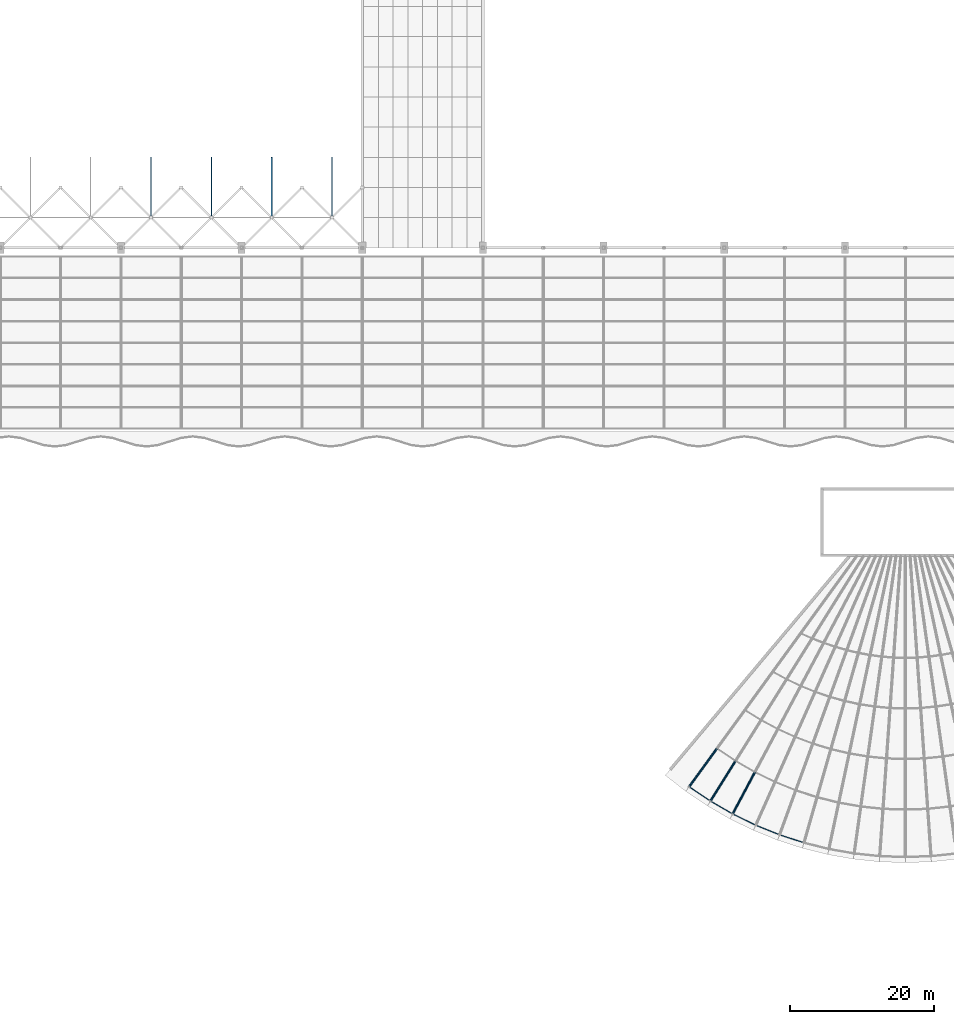
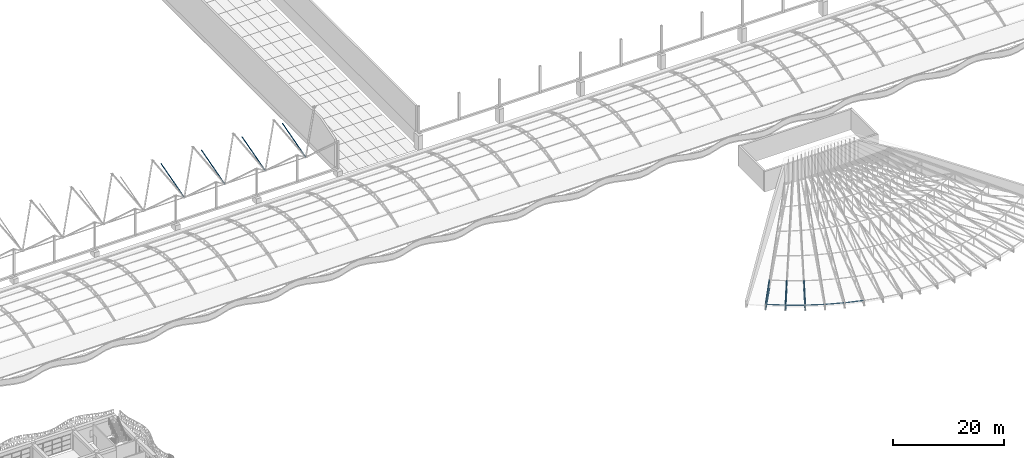
# One storey, part 23 of 163: 18 members.
"""IFC4 building model written with IfcOpenShell, lengths in metres."""

from ifc_helpers import new_model, si_unit, direction, frame, origin, origin_2d, place, context, subcontext, project, spatial, hollow_rectangle, hollow_circle, extrude, material, material_profile, profile_set, type_object, element, save


model = new_model("IFC4")

# Units and contexts
model_context = context("Model", 3, precision=1e-05, world=origin(), true_north=direction((0.0, 1.0)))
body_context = subcontext(model_context, "Body", "Model", "MODEL_VIEW")
ifc_project = project(units=[si_unit("LENGTHUNIT", "METRE"), si_unit("AREAUNIT", "SQUARE_METRE"), si_unit("VOLUMEUNIT", "CUBIC_METRE"), si_unit("PLANEANGLEUNIT", "RADIAN"), si_unit("MASSUNIT", "GRAM", prefix="KILO")], contexts=[model_context])

# Site, building, storey
site_placement = place(None, origin())
site = spatial("IfcSite", under=ifc_project, at=site_placement, CompositionType="ELEMENT")
building_placement = place(site_placement, origin())
building = spatial("IfcBuilding", under=site, at=building_placement, Name="Rain Tree Exposition and Congress Centre", CompositionType="ELEMENT")
storey_placement = place(building_placement, frame((0.0, 0.0, 10.5)))
storey = spatial("IfcBuildingStorey", under=building, at=storey_placement, Name="L02", CompositionType="ELEMENT", Elevation=10.5)

# Members
ifc_material_1 = material(Name="Steel S355J2H", Category="steel")
ifc_material_profile_1 = material_profile(ifc_material_1, hollow_circle(Radius=0.108154296875, WallThickness=0.008056640625, at=origin_2d()), Name="CHS 216x8")
ifc_profile_set_1 = profile_set([ifc_material_profile_1], Name="Steel S355J2H")
member_type_1 = type_object("IfcMemberType", Name="Steel brace member CHS 216x8", PredefinedType="BRACE", material=ifc_profile_set_1)
member_1_placement = place(storey_placement, frame((171.50537109375, 25.7783203125, 0.318603515625), z_axis=(0.573314901172, 0.789110774294, 0.220486303402), x_axis=(-0.809020716943, 0.587780128583, 0.0)))
element("IfcMember", 1, at=member_1_placement, inside=storey, type_object=member_type_1, Name="TD1-1", PredefinedType="BRACE", context=body_context, shape_type="SweptSolid", body=[
    extrude(hollow_circle(Radius=0.108154296875, WallThickness=0.008056640625, at=origin_2d()), origin(), (0.0, 0.0, 1.0), 6.7666015625),
])
member_2_placement = place(storey_placement, frame((174.468017578125, 23.77978515625, 0.318603515625), z_axis=(0.516868978035, 0.827185191917, 0.220479291133), x_axis=(-0.848054406666, 0.529909165172, 0.0)))
element("IfcMember", 2, at=member_2_placement, inside=storey, type_object=member_type_1, Name="TD2-1", PredefinedType="BRACE", context=body_context, shape_type="SweptSolid", body=[
    extrude(hollow_circle(Radius=0.108154296875, WallThickness=0.008056640625, at=origin_2d()), origin(), (0.0, 0.0, 1.0), 6.766845703125),
])
member_3_placement = place(storey_placement, frame((177.56298828125, 21.9931640625, 0.318603515625), z_axis=(0.457935298781, 0.861208449938, 0.220488702399), x_axis=(-0.882937969766, 0.469489660743, 0.0)))
element("IfcMember", 3, at=member_3_placement, inside=storey, type_object=member_type_1, Name="TD3-1", PredefinedType="BRACE", context=body_context, shape_type="SweptSolid", body=[
    extrude(hollow_circle(Radius=0.108154296875, WallThickness=0.008056640625, at=origin_2d()), origin(), (0.0, 0.0, 1.0), 6.7666015625),
])
ifc_material_2 = material(Name="Steel S355J2H", Category="steel")
ifc_material_profile_2 = material_profile(ifc_material_2, hollow_circle(Radius=0.1591796875, WallThickness=0.010009765625, at=origin_2d()), Name="CHS 318x10")
ifc_profile_set_2 = profile_set([ifc_material_profile_2], Name="Steel S355J2H")
member_type_2 = type_object("IfcMemberType", Name="Steel chord member CHS 318x10", PredefinedType="CHORD", material=ifc_profile_set_2)
member_4_placement = place(storey_placement, frame((171.50537109375, 25.7783203125, 0.1591796875), z_axis=(0.587780128583, 0.809020716943, 0.0), x_axis=(-0.809020716943, 0.587780128583, 0.0)))
element("IfcMember", 4, at=member_4_placement, inside=storey, type_object=member_type_2, Name="TC1-1", PredefinedType="CHORD", context=body_context, shape_type="SweptSolid", body=[
    extrude(hollow_circle(Radius=0.1591796875, WallThickness=0.010009765625, at=origin_2d()), origin(), (0.0, 0.0, 1.0), 6.60009765625),
])
member_5_placement = place(storey_placement, frame((171.50537109375, 25.7783203125, 1.22900390625), z_axis=(0.584096278798, 0.803950265172, 0.11178330924), x_axis=(-0.809020716943, 0.587780128583, 0.0)))
element("IfcMember", 5, at=member_5_placement, inside=storey, type_object=member_type_2, Name="TT1-1", PredefinedType="CHORD", context=body_context, shape_type="SweptSolid", body=[
    extrude(hollow_circle(Radius=0.1591796875, WallThickness=0.010009765625, at=origin_2d()), origin(), (0.0, 0.0, 1.0), 6.6416015625),
])
member_6_placement = place(storey_placement, frame((174.468017578125, 23.77978515625, 0.1591796875), z_axis=(0.529909165172, 0.848054406666, 0.0), x_axis=(-0.848054406666, 0.529909165172, 0.0)))
element("IfcMember", 6, at=member_6_placement, inside=storey, type_object=member_type_2, Name="TC2-1", PredefinedType="CHORD", context=body_context, shape_type="SweptSolid", body=[
    extrude(hollow_circle(Radius=0.1591796875, WallThickness=0.010009765625, at=origin_2d()), origin(), (0.0, 0.0, 1.0), 6.600341796875),
])
member_7_placement = place(storey_placement, frame((174.468017578125, 23.77978515625, 1.22900390625), z_axis=(0.526588235486, 0.842739667387, 0.111779619162), x_axis=(-0.848054406666, 0.529909165172, 0.0)))
element("IfcMember", 7, at=member_7_placement, inside=storey, type_object=member_type_2, Name="TT2-1", PredefinedType="CHORD", context=body_context, shape_type="SweptSolid", body=[
    extrude(hollow_circle(Radius=0.1591796875, WallThickness=0.010009765625, at=origin_2d()), origin(), (0.0, 0.0, 1.0), 6.641845703125),
])
member_8_placement = place(storey_placement, frame((177.56298828125, 21.9931640625, 0.1591796875), z_axis=(0.469489660743, 0.882937969766, 0.0), x_axis=(-0.882937969766, 0.469489660743, 0.0)))
element("IfcMember", 8, at=member_8_placement, inside=storey, type_object=member_type_2, Name="TC3-1", PredefinedType="CHORD", context=body_context, shape_type="SweptSolid", body=[
    extrude(hollow_circle(Radius=0.1591796875, WallThickness=0.010009765625, at=origin_2d()), origin(), (0.0, 0.0, 1.0), 6.60009765625),
])
member_9_placement = place(storey_placement, frame((177.56298828125, 21.9931640625, 1.22900390625), z_axis=(0.466547117281, 0.877404124046, 0.111784571671), x_axis=(-0.882937969766, 0.469489660743, 0.0)))
element("IfcMember", 9, at=member_9_placement, inside=storey, type_object=member_type_2, Name="TT3-1", PredefinedType="CHORD", context=body_context, shape_type="SweptSolid", body=[
    extrude(hollow_circle(Radius=0.1591796875, WallThickness=0.010009765625, at=origin_2d()), origin(), (0.0, 0.0, 1.0), 6.6416015625),
])
ifc_material_3 = material(Name="Steel S355J2H", Category="steel")
ifc_material_profile_3 = material_profile(ifc_material_3, hollow_rectangle(XDim=0.14990234375, YDim=0.14990234375, WallThickness=0.00439453125, at=origin_2d()), Name="RHS 150x150x4.5")
ifc_profile_set_3 = profile_set([ifc_material_profile_3], Name="Steel S355J2H")
member_type_3 = type_object("IfcMemberType", Name="Steel chord member RHS 150x150x4.5", PredefinedType="CHORD", material=ifc_profile_set_3)
for number, where, z_axis, x_axis, name in (
    (10, (96.60009765625, 105.0, 2.87353515625), (0.0, 0.9627506985, 0.27039062953), (-1.0, 0.0, 0.0), "Bottom chord 428"),
    (11, (105.0, 105.0, 2.87353515625), (0.0, 0.9627506985, 0.27039062953), (-1.0, 0.0, 0.0), "Bottom chord 434"),
    (12, (113.39990234375, 105.0, 2.87353515625), (0.0, 0.9627506985, 0.27039062953), (-1.0, 0.0, 0.0), "Bottom chord 440"),
    (13, (121.800048828125, 105.0, 2.87353515625), (0.0, 0.9627506985, 0.27039062953), (-1.0, 0.0, 0.0), "Bottom chord 445"),
):
    element("IfcMember", number, at=place(storey_placement, frame(where, z_axis=z_axis, x_axis=x_axis)), inside=storey, type_object=member_type_3, Name=name, PredefinedType="CHORD", context=body_context, shape_type="SweptSolid", body=[
        extrude(hollow_rectangle(XDim=0.14990234375, YDim=0.14990234375, WallThickness=0.00439453125, at=origin_2d()), origin(), (0.0, 0.0, 1.0), 8.724853515625),
    ])
ifc_material_4 = material(Name="Steel S355J2H", Category="steel")
ifc_material_profile_4 = material_profile(ifc_material_4, hollow_circle(Radius=0.06982421875, WallThickness=0.0048828125, at=origin_2d()), Name="CHS 140x5")
ifc_profile_set_4 = profile_set([ifc_material_profile_4], Name="Steel S355J2H")
member_type_4 = type_object("IfcMemberType", Name="Steel purlin member CHS 140x5", PredefinedType="PURLIN", material=ifc_profile_set_4)
member_10_placement = place(storey_placement, frame((171.637451171875, 25.689208984375, 1.22900390625), z_axis=(0.829014714642, -0.559226790226, 0.0), x_axis=(0.559226790226, 0.829014714642, 0.0)))
element("IfcMember", 14, at=member_10_placement, inside=storey, type_object=member_type_4, Name="PU1-0", PredefinedType="PURLIN", context=body_context, shape_type="SweptSolid", body=[
    extrude(hollow_circle(Radius=0.06982421875, WallThickness=0.0048828125, at=origin_2d()), origin(), (0.0, 0.0, 1.0), 3.255126953125),
])
member_11_placement = place(storey_placement, frame((174.606201171875, 23.7001953125, 1.22900390625), z_axis=(0.866028203713, -0.499995150351, 0.0), x_axis=(0.499995150351, 0.866028203713, 0.0)))
element("IfcMember", 15, at=member_11_placement, inside=storey, type_object=member_type_4, Name="PU2-0", PredefinedType="PURLIN", context=body_context, shape_type="SweptSolid", body=[
    extrude(hollow_circle(Radius=0.06982421875, WallThickness=0.0048828125, at=origin_2d()), origin(), (0.0, 0.0, 1.0), 3.2548828125),
])
for number, where, z_axis, x_axis, name in (
    (16, (177.706298828125, 21.92333984375, 1.22900390625), (0.898779258133, -0.438401465725, 0.0), (0.438401465725, 0.898779258133, 0.0), "PU3-0"),
    (17, (180.9228515625, 20.36669921875, 1.22900390625), (0.927198760347, -0.374569698202, 0.0), (0.374569698202, 0.927198760347, 0.0), "PU4-0"),
    (18, (184.239990234375, 19.03857421875, 1.22900390625), (0.951063275543, -0.308996190776, 0.0), (0.308996190776, 0.951063275543, 0.0), "PU5-0"),
):
    element("IfcMember", number, at=place(storey_placement, frame(where, z_axis=z_axis, x_axis=x_axis)), inside=storey, type_object=member_type_4, Name=name, PredefinedType="PURLIN", context=body_context, shape_type="SweptSolid", body=[
        extrude(hollow_circle(Radius=0.06982421875, WallThickness=0.0048828125, at=origin_2d()), origin(), (0.0, 0.0, 1.0), 3.255126953125),
    ])

save(model, "model.ifc")
